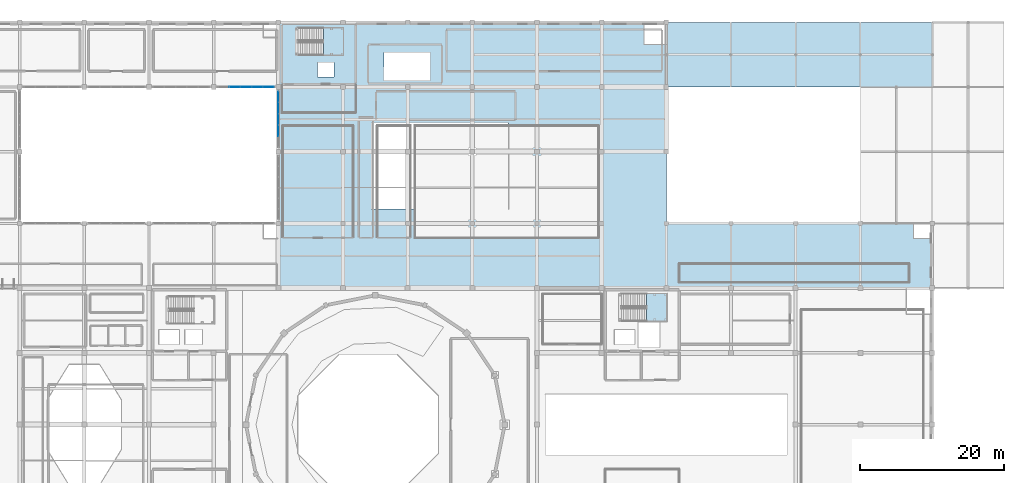
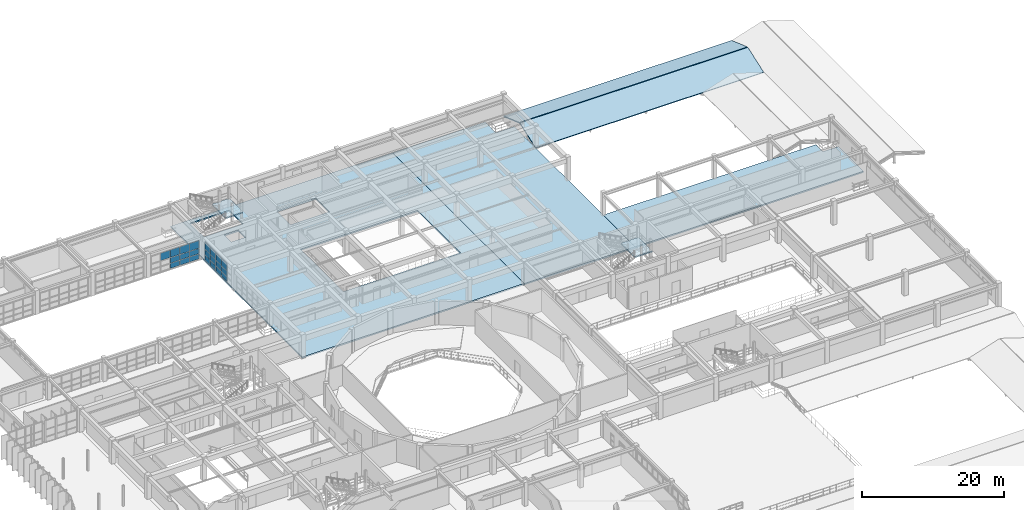
# One storey, part 87 of 110: 22 plates, 7 slabs, 4 elements without a shape of their own.
"""IFC4 building model written with IfcOpenShell, lengths in metres."""

import ifcopenshell
import ifcopenshell.guid

model = None  # the IFC model being written
_history = None  # IfcOwnerHistory: only IFC2X3 demands one
_inside = {}  # id of a spatial element -> (the spatial element, [elements in it])
_under = {}  # id of a project, library or spatial element -> (it, [spatial elements below it])
_declared = {}  # id of a project -> (the project, [libraries it declares])
_typed = {}  # id of a type object -> (the type object, [elements of that type])
_made_of = {}  # id of a material, layer set ... -> (it, [elements and type objects made of it])


def new_model(schema):
    """Start an empty IFC model of exactly this schema.

    Asked for "IFC4X3", IfcOpenShell would pick the latest addendum, in which some entities
    have other attributes; the version numbers below select the first issue.
    IFC2X3 requires an IfcOwnerHistory on every rooted entity: one is made here for all.
    """
    global model, _history
    if schema == "IFC4X3":
        model = ifcopenshell.file(schema_version=(4, 3, 0, 0))
    else:
        model = ifcopenshell.file(schema=schema)
    _inside.clear()
    _under.clear()
    _declared.clear()
    _typed.clear()
    _made_of.clear()
    _history = None
    if model.schema == "IFC2X3":
        org = make("IfcOrganization", Name="unknown")
        user = make(
            "IfcPersonAndOrganization",
            ThePerson=make("IfcPerson", FamilyName="unknown"),
            TheOrganization=org,
        )
        app = make(
            "IfcApplication",
            ApplicationDeveloper=org,
            Version="unknown",
            ApplicationFullName="unknown",
            ApplicationIdentifier="unknown",
        )
        _history = make(
            "IfcOwnerHistory",
            OwningUser=user,
            OwningApplication=app,
            ChangeAction="ADDED",
            CreationDate=0,
        )
    return model


def make(cls, **values):
    """One entity of the class cls with the attributes given. An attribute that is None is left unset."""
    return model.create_entity(
        cls, **{name: value for name, value in values.items() if value is not None}
    )


def rooted(cls, **values):
    """An entity with a GlobalId (a new one), such as an element, a storey or a relation."""
    return make(cls, GlobalId=ifcopenshell.guid.new(), OwnerHistory=_history, **values)


def si_unit(unit_type, name, prefix=None):
    """IfcSIUnit, for example si_unit("LENGTHUNIT", "METRE", prefix="MILLI")."""
    return make("IfcSIUnit", UnitType=unit_type, Prefix=prefix, Name=name)


def assignment(units):
    """IfcUnitAssignment: the units of a project."""
    return None if units is None else make("IfcUnitAssignment", Units=units)


def point(xyz):
    """IfcCartesianPoint."""
    return None if xyz is None else make("IfcCartesianPoint", Coordinates=xyz)


def direction(xyz):
    """IfcDirection."""
    return None if xyz is None else make("IfcDirection", DirectionRatios=xyz)


def frame(location, z_axis=None, x_axis=None):
    """IfcAxis2Placement3D, a coordinate frame: its origin and axes. An axis left out is left unset."""
    return make(
        "IfcAxis2Placement3D",
        Location=point(location),
        Axis=direction(z_axis),
        RefDirection=direction(x_axis),
    )


def frame_2d(location, x_axis=None):
    """IfcAxis2Placement2D, a coordinate frame in the plane: its origin and x axis."""
    return make(
        "IfcAxis2Placement2D", Location=point(location), RefDirection=direction(x_axis)
    )


def origin():
    """The frame at (0, 0, 0) with its axes left unset."""
    return frame((0.0, 0.0, 0.0))


def origin_2d():
    """The frame at (0, 0) in the plane with its x axis left unset."""
    return frame_2d((0.0, 0.0))


def place(relative_to, where):
    """IfcLocalPlacement: puts the frame where relative to a parent placement (None: the world)."""
    return make(
        "IfcLocalPlacement", PlacementRelTo=relative_to, RelativePlacement=where
    )


def context(
    kind, dimensions, precision=None, world=None, true_north=None, identifier=None
):
    """IfcGeometricRepresentationContext, for example the 3D "Model" context."""
    return make(
        "IfcGeometricRepresentationContext",
        ContextIdentifier=identifier,
        ContextType=kind,
        CoordinateSpaceDimension=dimensions,
        Precision=precision,
        WorldCoordinateSystem=world,
        TrueNorth=true_north,
    )


def subcontext(parent, identifier, kind, view, scale=None):
    """IfcGeometricRepresentationSubContext, for example "Body" below "Model"."""
    return make(
        "IfcGeometricRepresentationSubContext",
        ContextIdentifier=identifier,
        ContextType=kind,
        ParentContext=parent,
        TargetScale=scale,
        TargetView=view,
    )


def project(units=None, contexts=None):
    """IfcProject with its units and contexts."""
    return rooted(
        "IfcProject",
        Name="project",
        RepresentationContexts=contexts,
        UnitsInContext=assignment(units),
    )


def spatial(cls, under=None, at=None, **own):
    """A site, building, storey or space (cls), placed at a placement, below another one or the project."""
    s = rooted(cls, ObjectPlacement=at, **own)
    if under is not None:
        _under.setdefault(under.id(), (under, []))[1].append(s)
    return s


def polyline(points):
    """IfcPolyline through the points."""
    return make("IfcPolyline", Points=[point(p) for p in points])


def profile(cls, at=None, kind="AREA", **sizes):
    """A parametric profile (cls). Its sizes go by their IFC names, for example OverallWidth=200.0."""
    return make(cls, ProfileType=kind, Position=at, **sizes)


def rectangle(**sizes):
    """IfcRectangleProfileDef."""
    return profile("IfcRectangleProfileDef", **sizes)


def outline(outer, holes=None, kind="AREA"):
    """IfcArbitraryClosedProfileDef: a profile drawn as a closed curve; with holes, ...WithVoids."""
    if holes is None:
        return make("IfcArbitraryClosedProfileDef", ProfileType=kind, OuterCurve=outer)
    return make(
        "IfcArbitraryProfileDefWithVoids",
        ProfileType=kind,
        OuterCurve=outer,
        InnerCurves=holes,
    )


def extrude(swept, where, along, depth):
    """IfcExtrudedAreaSolid: the profile swept, set in the frame where, extruded along a direction by depth."""
    return make(
        "IfcExtrudedAreaSolid",
        SweptArea=swept,
        Position=where,
        ExtrudedDirection=direction(along),
        Depth=depth,
    )


def shape(context_of_items, identifier, shape_type, items):
    """IfcShapeRepresentation: the items that make up one representation, for example the "Body"."""
    return make(
        "IfcShapeRepresentation",
        ContextOfItems=context_of_items,
        RepresentationIdentifier=identifier,
        RepresentationType=shape_type,
        Items=items,
    )


def material(Name=None, Category=None):
    """IfcMaterial."""
    return make("IfcMaterial", Name=Name, Category=Category)


def layer(
    of_material, thickness, ventilated=None, Name=None, Category=None, Priority=None
):
    """IfcMaterialLayer: one layer of a wall or slab, of a material (None: an air gap)."""
    return make(
        "IfcMaterialLayer",
        Material=of_material,
        LayerThickness=thickness,
        IsVentilated=ventilated,
        Name=Name,
        Category=Category,
        Priority=Priority,
    )


def layer_set(layers, Name=None):
    """IfcMaterialLayerSet."""
    return make("IfcMaterialLayerSet", MaterialLayers=layers, LayerSetName=Name)


def made_of(thing, what):
    """Note that an element or type object is made of a material, layer set ...; save() writes the relation."""
    if what is not None:
        _made_of.setdefault(what.id(), (what, []))[1].append(thing)
    return thing


def type_object(cls, material=None, **own):
    """A type object (cls), such as IfcWallType, which elements share."""
    return made_of(rooted(cls, **own), material)


def element(
    cls,
    number,
    at=None,
    inside=None,
    cuts=None,
    type_object=None,
    material=None,
    context=None,
    identifier="Body",
    shape_type=None,
    held_by="IfcProductDefinitionShape",
    body=None,
    shapes=None,
    **own,
):
    """One element of the class cls, such as IfcWall. Its Tag is "e" and its number.

    at: its placement. inside: the storey or other place that contains it. cuts: it is an
    opening in that element (IfcRelVoidsElement). A single representation is given by context,
    identifier, shape_type and body (its items); several are given by shapes. held_by: the class
    of the entity that holds the representations. save() writes the other relations.
    """
    e = rooted(cls, Tag="e%d" % number, ObjectPlacement=at, **own)
    if body is not None:
        shapes = [shape(context, identifier, shape_type, body)]
    if shapes is not None:
        e.Representation = make(held_by, Representations=shapes)
    if inside is not None:
        _inside.setdefault(inside.id(), (inside, []))[1].append(e)
    if cuts is not None:
        rooted(
            "IfcRelVoidsElement", RelatingBuildingElement=cuts, RelatedOpeningElement=e
        )
    if type_object is not None:
        _typed.setdefault(type_object.id(), (type_object, []))[1].append(e)
    return made_of(e, material)


def aggregate(whole, parts):
    """IfcRelAggregates: a whole, such as a stair, and the parts it consists of."""
    return rooted("IfcRelAggregates", RelatingObject=whole, RelatedObjects=parts)


def save(model, path):
    """Write the relations noted so far, then the file.

    IfcRelAggregates (storeys below a building ...), IfcRelContainedInSpatialStructure (elements
    in a storey), IfcRelDefinesByType, IfcRelAssociatesMaterial and IfcRelDeclares: one each for
    every whole, place, type object, material and project.
    """
    for whole, parts in _under.values():
        aggregate(whole, parts)
    for where, things in _inside.values():
        rooted(
            "IfcRelContainedInSpatialStructure",
            RelatedElements=things,
            RelatingStructure=where,
        )
    for kind, things in _typed.values():
        rooted("IfcRelDefinesByType", RelatedObjects=things, RelatingType=kind)
    for what, things in _made_of.values():
        rooted("IfcRelAssociatesMaterial", RelatedObjects=things, RelatingMaterial=what)
    for by, libraries in _declared.values():
        rooted("IfcRelDeclares", RelatingContext=by, RelatedDefinitions=libraries)
    model.write(path)


model = new_model("IFC4")

# Units and contexts
model_context = context("Model", 3, precision=1e-05, world=origin(), true_north=direction((0.0, 1.0)))
body_context = subcontext(model_context, "Body", "Model", "MODEL_VIEW")
ifc_project = project(units=[si_unit("LENGTHUNIT", "METRE"), si_unit("AREAUNIT", "SQUARE_METRE"), si_unit("VOLUMEUNIT", "CUBIC_METRE"), si_unit("PLANEANGLEUNIT", "RADIAN"), si_unit("MASSUNIT", "GRAM", prefix="KILO")], contexts=[model_context])

# Site, building, storey
site_placement = place(None, origin())
site = spatial("IfcSite", under=ifc_project, at=site_placement, CompositionType="ELEMENT")
building_placement = place(site_placement, origin())
building = spatial("IfcBuilding", under=site, at=building_placement, Name="Miravela Opera House", CompositionType="ELEMENT")
storey_placement = place(building_placement, frame((0.0, 0.0, 13.60009765625)))
storey = spatial("IfcBuildingStorey", under=building, at=storey_placement, Name="L03", CompositionType="ELEMENT", Elevation=13.60009765625)

# Curtain wall, plates
ifc_material_1 = material(Name="Anodised architectural bronze aluminium 6063-T6", Category="aluminium")
curtain_wall_type = type_object("IfcCurtainWallType", Name="ARC-CW-05", PredefinedType="NOTDEFINED", material=ifc_material_1)
curtain_wall_1_placement = place(storey_placement, origin())
curtain_wall_1 = element("IfcCurtainWall", 1, at=curtain_wall_1_placement, inside=storey, type_object=curtain_wall_type, Name="Courtyard Arcade Curtain Wall CW-L03-108", PredefinedType="NOTDEFINED")
ifc_material_2 = material(Name="Acoustic laminated low-E insulating glass", Category="glass")
ifc_layer_1 = layer(ifc_material_2, 0.028076171875)
ifc_layer_set_1 = layer_set([ifc_layer_1])
plate_type = type_object("IfcPlateType", Name="ARC-CWP-28", PredefinedType="CURTAIN_PANEL", material=ifc_layer_set_1)
plate_1_placement = place(storey_placement, frame((56.931884765625, 103.0, 1.93798828125), z_axis=(0.0, 0.0, 1.0), x_axis=(1.0, 0.0, 0.0)))
plate_1 = element("IfcPlate", 2, at=plate_1_placement, type_object=plate_type, Name="CW-05 panel 2.3", PredefinedType="CURTAIN_PANEL", context=body_context, shape_type="SweptSolid", body=[
    extrude(rectangle(XDim=1.508056640625, YDim=0.028076171875, at=origin_2d()), origin(), (0.0, 0.0, 1.0), 1.291748046875),
])
plate_2_placement = place(storey_placement, frame((58.5, 103.0, 0.06005859375), z_axis=(0.0, 0.0, 1.0), x_axis=(1.0, 0.0, 0.0)))
plate_2 = element("IfcPlate", 3, at=plate_2_placement, type_object=plate_type, Name="CW-05 panel 3.1", PredefinedType="CURTAIN_PANEL", context=body_context, shape_type="SweptSolid", body=[
    extrude(rectangle(XDim=1.508056640625, YDim=0.028076171875, at=origin_2d()), origin(), (0.0, 0.0, 1.0), 0.860107421875),
])
plate_3_placement = place(storey_placement, frame((58.5, 103.0, 0.97998046875), z_axis=(0.0, 0.0, 1.0), x_axis=(1.0, 0.0, 0.0)))
plate_3 = element("IfcPlate", 4, at=plate_3_placement, type_object=plate_type, Name="CW-05 panel 3.2", PredefinedType="CURTAIN_PANEL", context=body_context, shape_type="SweptSolid", body=[
    extrude(rectangle(XDim=1.508056640625, YDim=0.028076171875, at=origin_2d()), origin(), (0.0, 0.0, 1.0), 0.898193359375),
])
plate_4_placement = place(storey_placement, frame((58.5, 103.0, 1.93798828125), z_axis=(0.0, 0.0, 1.0), x_axis=(1.0, 0.0, 0.0)))
plate_4 = element("IfcPlate", 5, at=plate_4_placement, type_object=plate_type, Name="CW-05 panel 3.3", PredefinedType="CURTAIN_PANEL", context=body_context, shape_type="SweptSolid", body=[
    extrude(rectangle(XDim=1.508056640625, YDim=0.028076171875, at=origin_2d()), origin(), (0.0, 0.0, 1.0), 1.291748046875),
])
plate_5_placement = place(storey_placement, frame((60.068115234375, 103.0, 0.06005859375), z_axis=(0.0, 0.0, 1.0), x_axis=(1.0, 0.0, 0.0)))
plate_5 = element("IfcPlate", 6, at=plate_5_placement, type_object=plate_type, Name="CW-05 panel 4.1", PredefinedType="CURTAIN_PANEL", context=body_context, shape_type="SweptSolid", body=[
    extrude(rectangle(XDim=1.508056640625, YDim=0.028076171875, at=origin_2d()), origin(), (0.0, 0.0, 1.0), 0.860107421875),
])
plate_6_placement = place(storey_placement, frame((60.068115234375, 103.0, 0.97998046875), z_axis=(0.0, 0.0, 1.0), x_axis=(1.0, 0.0, 0.0)))
plate_6 = element("IfcPlate", 7, at=plate_6_placement, type_object=plate_type, Name="CW-05 panel 4.2", PredefinedType="CURTAIN_PANEL", context=body_context, shape_type="SweptSolid", body=[
    extrude(rectangle(XDim=1.508056640625, YDim=0.028076171875, at=origin_2d()), origin(), (0.0, 0.0, 1.0), 0.898193359375),
])
plate_7_placement = place(storey_placement, frame((60.068115234375, 103.0, 1.93798828125), z_axis=(0.0, 0.0, 1.0), x_axis=(1.0, 0.0, 0.0)))
plate_7 = element("IfcPlate", 8, at=plate_7_placement, type_object=plate_type, Name="CW-05 panel 4.3", PredefinedType="CURTAIN_PANEL", context=body_context, shape_type="SweptSolid", body=[
    extrude(rectangle(XDim=1.508056640625, YDim=0.028076171875, at=origin_2d()), origin(), (0.0, 0.0, 1.0), 1.291748046875),
])
plate_8_placement = place(storey_placement, frame((61.62109375, 103.0, 0.06005859375), z_axis=(0.0, 0.0, 1.0), x_axis=(1.0, 0.0, 0.0)))
plate_8 = element("IfcPlate", 9, at=plate_8_placement, type_object=plate_type, Name="CW-05 panel 5.1", PredefinedType="CURTAIN_PANEL", context=body_context, shape_type="SweptSolid", body=[
    extrude(rectangle(XDim=1.47802734375, YDim=0.028076171875, at=origin_2d()), origin(), (0.0, 0.0, 1.0), 0.860107421875),
])
plate_9_placement = place(storey_placement, frame((61.62109375, 103.0, 0.97998046875), z_axis=(0.0, 0.0, 1.0), x_axis=(1.0, 0.0, 0.0)))
plate_9 = element("IfcPlate", 10, at=plate_9_placement, type_object=plate_type, Name="CW-05 panel 5.2", PredefinedType="CURTAIN_PANEL", context=body_context, shape_type="SweptSolid", body=[
    extrude(rectangle(XDim=1.47802734375, YDim=0.028076171875, at=origin_2d()), origin(), (0.0, 0.0, 1.0), 0.898193359375),
])
plate_10_placement = place(storey_placement, frame((61.62109375, 103.0, 1.93798828125), z_axis=(0.0, 0.0, 1.0), x_axis=(1.0, 0.0, 0.0)))
plate_10 = element("IfcPlate", 11, at=plate_10_placement, type_object=plate_type, Name="CW-05 panel 5.3", PredefinedType="CURTAIN_PANEL", context=body_context, shape_type="SweptSolid", body=[
    extrude(rectangle(XDim=1.47802734375, YDim=0.028076171875, at=origin_2d()), origin(), (0.0, 0.0, 1.0), 1.291748046875),
])
aggregate(curtain_wall_1, [plate_1, plate_2, plate_3, plate_4, plate_5, plate_6, plate_7, plate_8, plate_9, plate_10])

curtain_wall_2_placement = place(storey_placement, origin())
curtain_wall_2 = element("IfcCurtainWall", 12, at=curtain_wall_2_placement, inside=storey, type_object=curtain_wall_type, Name="Courtyard Arcade Curtain Wall CW-L03-112", PredefinedType="NOTDEFINED")
plate_11_placement = place(storey_placement, frame((63.0, 96.931884765625, 0.06005859375), z_axis=(0.0, 0.0, 1.0), x_axis=(0.0, 1.0, 0.0)))
plate_11 = element("IfcPlate", 13, at=plate_11_placement, type_object=plate_type, Name="CW-05 panel 2.1", PredefinedType="CURTAIN_PANEL", context=body_context, shape_type="SweptSolid", body=[
    extrude(rectangle(XDim=1.508056640625, YDim=0.028076171875, at=origin_2d()), origin(), (0.0, 0.0, 1.0), 0.860107421875),
])
plate_12_placement = place(storey_placement, frame((63.0, 96.931884765625, 0.97998046875), z_axis=(0.0, 0.0, 1.0), x_axis=(0.0, 1.0, 0.0)))
plate_12 = element("IfcPlate", 14, at=plate_12_placement, type_object=plate_type, Name="CW-05 panel 2.2", PredefinedType="CURTAIN_PANEL", context=body_context, shape_type="SweptSolid", body=[
    extrude(rectangle(XDim=1.508056640625, YDim=0.028076171875, at=origin_2d()), origin(), (0.0, 0.0, 1.0), 0.898193359375),
])
plate_13_placement = place(storey_placement, frame((63.0, 96.931884765625, 1.93798828125), z_axis=(0.0, 0.0, 1.0), x_axis=(0.0, 1.0, 0.0)))
plate_13 = element("IfcPlate", 15, at=plate_13_placement, type_object=plate_type, Name="CW-05 panel 2.3", PredefinedType="CURTAIN_PANEL", context=body_context, shape_type="SweptSolid", body=[
    extrude(rectangle(XDim=1.508056640625, YDim=0.028076171875, at=origin_2d()), origin(), (0.0, 0.0, 1.0), 1.291748046875),
])
plate_14_placement = place(storey_placement, frame((63.0, 98.5, 0.06005859375), z_axis=(0.0, 0.0, 1.0), x_axis=(0.0, 1.0, 0.0)))
plate_14 = element("IfcPlate", 16, at=plate_14_placement, type_object=plate_type, Name="CW-05 panel 3.1", PredefinedType="CURTAIN_PANEL", context=body_context, shape_type="SweptSolid", body=[
    extrude(rectangle(XDim=1.508056640625, YDim=0.028076171875, at=origin_2d()), origin(), (0.0, 0.0, 1.0), 0.860107421875),
])
plate_15_placement = place(storey_placement, frame((63.0, 98.5, 0.97998046875), z_axis=(0.0, 0.0, 1.0), x_axis=(0.0, 1.0, 0.0)))
plate_15 = element("IfcPlate", 17, at=plate_15_placement, type_object=plate_type, Name="CW-05 panel 3.2", PredefinedType="CURTAIN_PANEL", context=body_context, shape_type="SweptSolid", body=[
    extrude(rectangle(XDim=1.508056640625, YDim=0.028076171875, at=origin_2d()), origin(), (0.0, 0.0, 1.0), 0.898193359375),
])
plate_16_placement = place(storey_placement, frame((63.0, 98.5, 1.93798828125), z_axis=(0.0, 0.0, 1.0), x_axis=(0.0, 1.0, 0.0)))
plate_16 = element("IfcPlate", 18, at=plate_16_placement, type_object=plate_type, Name="CW-05 panel 3.3", PredefinedType="CURTAIN_PANEL", context=body_context, shape_type="SweptSolid", body=[
    extrude(rectangle(XDim=1.508056640625, YDim=0.028076171875, at=origin_2d()), origin(), (0.0, 0.0, 1.0), 1.291748046875),
])
plate_17_placement = place(storey_placement, frame((63.0, 100.068115234375, 0.06005859375), z_axis=(0.0, 0.0, 1.0), x_axis=(0.0, 1.0, 0.0)))
plate_17 = element("IfcPlate", 19, at=plate_17_placement, type_object=plate_type, Name="CW-05 panel 4.1", PredefinedType="CURTAIN_PANEL", context=body_context, shape_type="SweptSolid", body=[
    extrude(rectangle(XDim=1.508056640625, YDim=0.028076171875, at=origin_2d()), origin(), (0.0, 0.0, 1.0), 0.860107421875),
])
plate_18_placement = place(storey_placement, frame((63.0, 100.068115234375, 0.97998046875), z_axis=(0.0, 0.0, 1.0), x_axis=(0.0, 1.0, 0.0)))
plate_18 = element("IfcPlate", 20, at=plate_18_placement, type_object=plate_type, Name="CW-05 panel 4.2", PredefinedType="CURTAIN_PANEL", context=body_context, shape_type="SweptSolid", body=[
    extrude(rectangle(XDim=1.508056640625, YDim=0.028076171875, at=origin_2d()), origin(), (0.0, 0.0, 1.0), 0.898193359375),
])
plate_19_placement = place(storey_placement, frame((63.0, 100.068115234375, 1.93798828125), z_axis=(0.0, 0.0, 1.0), x_axis=(0.0, 1.0, 0.0)))
plate_19 = element("IfcPlate", 21, at=plate_19_placement, type_object=plate_type, Name="CW-05 panel 4.3", PredefinedType="CURTAIN_PANEL", context=body_context, shape_type="SweptSolid", body=[
    extrude(rectangle(XDim=1.508056640625, YDim=0.028076171875, at=origin_2d()), origin(), (0.0, 0.0, 1.0), 1.291748046875),
])
plate_20_placement = place(storey_placement, frame((63.0, 101.62109375, 0.06005859375), z_axis=(0.0, 0.0, 1.0), x_axis=(0.0, 1.0, 0.0)))
plate_20 = element("IfcPlate", 22, at=plate_20_placement, type_object=plate_type, Name="CW-05 panel 5.1", PredefinedType="CURTAIN_PANEL", context=body_context, shape_type="SweptSolid", body=[
    extrude(rectangle(XDim=1.47802734375, YDim=0.028076171875, at=origin_2d()), origin(), (0.0, 0.0, 1.0), 0.860107421875),
])
plate_21_placement = place(storey_placement, frame((63.0, 101.62109375, 0.97998046875), z_axis=(0.0, 0.0, 1.0), x_axis=(0.0, 1.0, 0.0)))
plate_21 = element("IfcPlate", 23, at=plate_21_placement, type_object=plate_type, Name="CW-05 panel 5.2", PredefinedType="CURTAIN_PANEL", context=body_context, shape_type="SweptSolid", body=[
    extrude(rectangle(XDim=1.47802734375, YDim=0.028076171875, at=origin_2d()), origin(), (0.0, 0.0, 1.0), 0.898193359375),
])
plate_22_placement = place(storey_placement, frame((63.0, 101.62109375, 1.93798828125), z_axis=(0.0, 0.0, 1.0), x_axis=(0.0, 1.0, 0.0)))
plate_22 = element("IfcPlate", 24, at=plate_22_placement, type_object=plate_type, Name="CW-05 panel 5.3", PredefinedType="CURTAIN_PANEL", context=body_context, shape_type="SweptSolid", body=[
    extrude(rectangle(XDim=1.47802734375, YDim=0.028076171875, at=origin_2d()), origin(), (0.0, 0.0, 1.0), 1.291748046875),
])
aggregate(curtain_wall_2, [plate_11, plate_12, plate_13, plate_14, plate_15, plate_16, plate_17, plate_18, plate_19, plate_20, plate_21, plate_22])

# Stair, slab
ifc_material_3 = material(Name="Concrete C35/45", Category="concrete")
stair_type = type_object("IfcStairType", Name="ARC-STAIR-CORE-1680", PredefinedType="HALF_TURN_STAIR", material=ifc_material_3)
stair_1_placement = place(storey_placement, origin())
stair_1 = element("IfcStair", 25, at=stair_1_placement, inside=storey, type_object=stair_type, Name="L03 Core K3 North Stage and Firefighting Core Exit Stair ST-03", PredefinedType="HALF_TURN_STAIR")
ifc_layer_2 = layer(ifc_material_3, 0.199951171875)
ifc_layer_set_2 = layer_set([ifc_layer_2])
slab_type_1 = type_object("IfcSlabType", Name="ARC-LANDING-200", PredefinedType="LANDING", material=ifc_layer_set_2)
slab_1_placement = place(storey_placement, frame((0.0, 0.0, 1.83984375)))
slab_1 = element("IfcSlab", 26, at=slab_1_placement, type_object=slab_type_1, Name="ST-03 landing 1", PredefinedType="LANDING", context=body_context, shape_type="SweptSolid", body=[
    extrude(outline(polyline([(114.260009765625, 70.39990234375), (117.10009765625, 70.39990234375), (117.10009765625, 74.280029296875), (114.260009765625, 74.280029296875), (114.260009765625, 70.39990234375)])), origin(), (0.0, 0.0, 1.0), 0.199951171875),
])
aggregate(stair_1, [slab_1])

stair_2_placement = place(storey_placement, origin())
stair_2 = element("IfcStair", 27, at=stair_2_placement, inside=storey, type_object=stair_type, Name="L03 Core K5 North Rehearsal Core Exit Stair ST-05", PredefinedType="HALF_TURN_STAIR")
slab_2_placement = place(storey_placement, frame((0.0, 0.0, 1.83984375)))
slab_2 = element("IfcSlab", 28, at=slab_2_placement, type_object=slab_type_1, Name="ST-05 landing 1", PredefinedType="LANDING", context=body_context, shape_type="SweptSolid", body=[
    extrude(outline(polyline([(69.260009765625, 107.39990234375), (72.10009765625, 107.39990234375), (72.10009765625, 111.280029296875), (69.260009765625, 111.280029296875), (69.260009765625, 107.39990234375)])), origin(), (0.0, 0.0, 1.0), 0.199951171875),
])
aggregate(stair_2, [slab_2])

# Slabs
ifc_layer_3 = layer(ifc_material_3, 0.169921875)
ifc_layer_set_3 = layer_set([ifc_layer_3])
slab_type_2 = type_object("IfcSlabType", Name="STR-ROOF-TILE-170", PredefinedType="ROOF", material=ifc_layer_set_3)
for number, where, z_axis, x_axis, name in (
    (29, (117.0, 103.0, 0.0), (0.0, -0.334982101941, 0.942224490968), (1.0, 0.0, 0.0), "Pitched Clay Barrel-Tile Roof Slab ROOF-V3-NE Slope 1"),
    (30, (154.0, 112.0, 0.0), (0.0, 0.334982101941, 0.942224490968), (-1.0, 0.0, 0.0), "Pitched Clay Barrel-Tile Roof Slab ROOF-V3-NE Slope 2"),
):
    element("IfcSlab", number, at=place(storey_placement, frame(where, z_axis=z_axis, x_axis=x_axis)), inside=storey, type_object=slab_type_2, Name=name, PredefinedType="ROOF", context=body_context, shape_type="SweptSolid", body=[
        extrude(outline(polyline([(0.0, 0.0), (37.0, 0.0), (37.0, 4.717631946511606), (0.0, 4.717631946511606), (0.0, 0.0)])), origin(), (0.0, 0.0, -1.0), 0.169921875),
    ])
ifc_layer_4 = layer(ifc_material_3, 0.239990234375)
ifc_layer_set_4 = layer_set([ifc_layer_4])
slab_type_3 = type_object("IfcSlabType", Name="STR-SLAB-FLR-240", PredefinedType="FLOOR", material=ifc_layer_set_4)
slab_3_placement = place(storey_placement, frame((0.0, 0.0, -0.239990234375)))
element("IfcSlab", 31, at=slab_3_placement, inside=storey, type_object=slab_type_3, Name="Level L03 Floor Slab SLAB-L03-V3M1", PredefinedType="FLOOR", context=body_context, shape_type="SweptSolid", body=[
    extrude(outline(polyline([(63.0, 75.0), (99.0, 75.0), (99.0, 112.0), (63.0, 112.0), (63.0, 75.0)]), holes=[polyline([(65.739990234375, 107.39990234375), (72.10009765625, 107.39990234375), (72.10009765625, 111.280029296875), (65.739990234375, 111.280029296875), (65.739990234375, 107.39990234375)]), polyline([(77.739990234375, 103.89990234375), (84.10009765625, 103.89990234375), (84.10009765625, 107.780029296875), (77.739990234375, 107.780029296875), (77.739990234375, 103.89990234375)]), polyline([(68.449951171875, 104.39990234375), (70.75, 104.39990234375), (70.75, 106.39990234375), (68.449951171875, 106.39990234375), (68.449951171875, 104.39990234375)]), polyline([(76.0, 86.0), (95.0, 86.0), (95.0, 98.0), (76.0, 98.0), (76.0, 86.0)])]), origin(), (0.0, 0.0, 1.0), 0.239990234375),
])
slab_4_placement = place(storey_placement, frame((0.0, 0.0, -0.239990234375)))
element("IfcSlab", 32, at=slab_4_placement, inside=storey, type_object=slab_type_3, Name="Level L03 Floor Slab SLAB-L03-V3M2", PredefinedType="FLOOR", context=body_context, shape_type="SweptSolid", body=[
    extrude(outline(polyline([(99.0, 75.0), (117.0, 75.0), (117.0, 109.0), (114.0, 109.0), (114.0, 112.0), (99.0, 112.0), (99.0, 75.0)])), origin(), (0.0, 0.0, 1.0), 0.239990234375),
])
slab_5_placement = place(storey_placement, frame((0.0, 0.0, -0.239990234375)))
element("IfcSlab", 33, at=slab_5_placement, inside=storey, type_object=slab_type_3, Name="Level L03 Floor Slab SLAB-L03-V3E", PredefinedType="FLOOR", context=body_context, shape_type="SweptSolid", body=[
    extrude(outline(polyline([(117.0, 75.0), (154.0, 75.0), (154.0, 82.0), (151.5, 82.0), (151.5, 84.0), (117.0, 84.0), (117.0, 75.0)])), origin(), (0.0, 0.0, 1.0), 0.239990234375),
])

save(model, "model.ifc")
